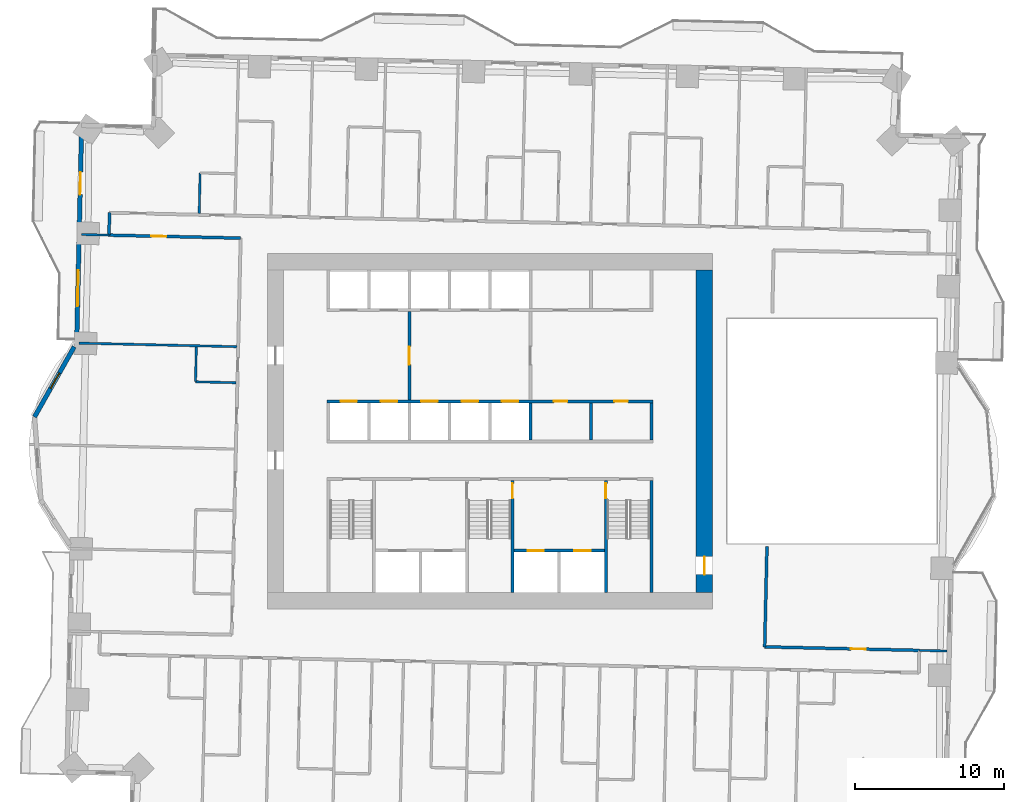
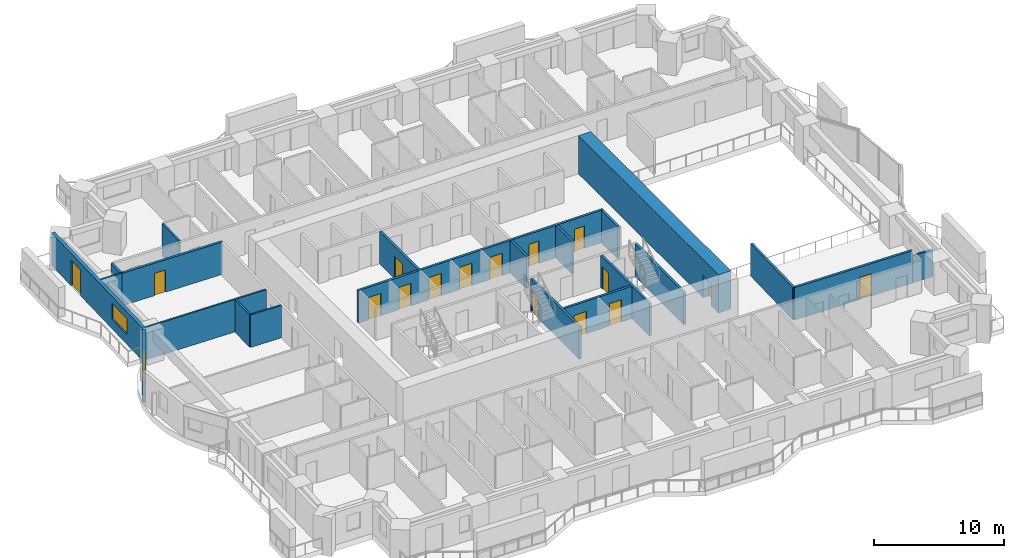
# One storey, part 10 of 19: 22 walls, 16 doors, 2 windows, 18 openings.
"""IFC4 building model written with IfcOpenShell, lengths in metres."""

from ifc_helpers import new_model, si_unit, direction, frame, frame_2d, origin, place, context, subcontext, project, spatial, rectangle, extrude, material, layer, layer_set, type_object, element, fill, save


model = new_model("IFC4")

# Units and contexts
model_context = context("Model", 3, precision=1e-05, world=origin(), true_north=direction((0.0, 1.0)))
body_context = subcontext(model_context, "Body", "Model", "MODEL_VIEW")
ifc_project = project(units=[si_unit("LENGTHUNIT", "METRE"), si_unit("AREAUNIT", "SQUARE_METRE"), si_unit("VOLUMEUNIT", "CUBIC_METRE"), si_unit("PLANEANGLEUNIT", "RADIAN"), si_unit("MASSUNIT", "GRAM", prefix="KILO")], contexts=[model_context])

# Site, building, storey
site_placement = place(None, origin())
site = spatial("IfcSite", under=ifc_project, at=site_placement, CompositionType="ELEMENT")
building_placement = place(site_placement, origin())
building = spatial("IfcBuilding", under=site, at=building_placement, Name="Mangrove Gate Tower", CompositionType="ELEMENT")
storey_placement = place(building_placement, frame((0.0, 0.0, 63.89990234375)))
storey = spatial("IfcBuildingStorey", under=building, at=storey_placement, Name="L15", CompositionType="ELEMENT", Elevation=63.89990234375)

# Wall, opening, door
ifc_material_1 = material(Name="Concrete C32/40", Category="concrete")
ifc_layer_1 = layer(ifc_material_1, 0.199951171875)
ifc_layer_set_1 = layer_set([ifc_layer_1], Name="Core lobby wall 200 C32/40")
wall_type_1 = type_object("IfcWallType", Name="Core lobby wall 200 C32/40", PredefinedType="STANDARD", material=ifc_layer_set_1)
wall_1_placement = place(storey_placement, frame((-5.39990234375, 2.10009765625, 0.0), z_axis=(0.0, 0.0, 1.0), x_axis=(0.0, 1.0, 0.0)))
wall_1 = element("IfcWall", 1, at=wall_1_placement, inside=storey, type_object=wall_type_1, Name="WALL-L15-CORE-35", PredefinedType="STANDARD", context=body_context, shape_type="SweptSolid", body=[
    extrude(rectangle(XDim=5.89990234375, YDim=0.199951171875, at=frame_2d((2.949951171875, 0.0))), origin(), (0.0, 0.0, 1.0), 3.050048828125),
])
opening_1_placement = place(wall_1_placement, frame((2.35009765625, 0.0, 0.0)))
opening_1 = element("IfcOpeningElement", 2, at=opening_1_placement, cuts=wall_1, Name="Opening FL12", PredefinedType="OPENING", context=body_context, shape_type="SweptSolid", body=[
    extrude(rectangle(XDim=1.199951171875, YDim=2.10009765625, at=frame_2d((0.60009765625, 1.050048828125))), frame((0.0, 0.10986328125, 0.0), z_axis=(0.0, -1.0, 0.0), x_axis=(1.0, 0.0, 0.0)), (0.0, 0.0, 1.0), 0.219970703125),
])
ifc_material_2 = material(Name="Fire-rated steel door set", Category="steel")
door_type_1 = type_object("IfcDoorType", Name="Lobby door FD60 1200x2100", OperationType="SINGLE_SWING_LEFT", PredefinedType="DOOR", material=ifc_material_2)
door_1_placement = place(opening_1_placement, origin())
door_1 = element("IfcDoor", 3, at=door_1_placement, inside=storey, type_object=door_type_1, Name="Lobby door lift lobby partition", OperationType="SINGLE_SWING_LEFT", OverallHeight=2.10009765625, OverallWidth=1.199951171875, PredefinedType="DOOR", context=body_context, shape_type="SweptSolid", body=[
    extrude(rectangle(XDim=1.199951171875, YDim=2.10009765625, at=frame_2d((0.60009765625, 1.050048828125))), frame((0.0, 0.02490234375, 0.0), z_axis=(0.0, -1.0, 0.0), x_axis=(1.0, 0.0, 0.0)), (0.0, 0.0, 1.0), 0.050048828125),
])
fill(opening_1, door_1)

# Walls
ifc_material_3 = material(Name="Concrete C32/40", Category="concrete")
ifc_layer_2 = layer(ifc_material_3, 0.199951171875)
ifc_layer_set_2 = layer_set([ifc_layer_2], Name="Core room wall 200 C32/40")
wall_type_2 = type_object("IfcWallType", Name="Core room wall 200 C32/40", PredefinedType="STANDARD", material=ifc_layer_set_2)
for number, where, z_axis, x_axis, name in (
    (4, (6.75, -0.60009765625, 0.0), (0.0, 0.0, 1.0), (0.0, 1.0, 0.0), "WALL-L15-CORE-25"),
    (5, (10.800048828125, -0.60009765625, 0.0), (0.0, 0.0, 1.0), (0.0, 1.0, 0.0), "WALL-L15-CORE-26"),
):
    element("IfcWall", number, at=place(storey_placement, frame(where, z_axis=z_axis, x_axis=x_axis)), inside=storey, type_object=wall_type_2, Name=name, PredefinedType="STANDARD", context=body_context, shape_type="SweptSolid", body=[
        extrude(rectangle(XDim=2.5, YDim=0.199951171875, at=frame_2d((1.25, 0.0))), origin(), (0.0, 0.0, 1.0), 3.050048828125),
    ])

# Wall, openings, doors
ifc_material_4 = material(Name="Concrete C70/85", Category="concrete")
ifc_layer_3 = layer(ifc_material_4, 0.199951171875)
ifc_layer_set_3 = layer_set([ifc_layer_3], Name="Core shaft wall 200 C70/85")
wall_type_3 = type_object("IfcWallType", Name="Core shaft wall 200 C70/85", PredefinedType="SHEAR", material=ifc_layer_set_3)
wall_2_placement = place(storey_placement, frame((-10.89990234375, 2.0, 0.0), z_axis=(0.0, 0.0, 1.0), x_axis=(1.0, 0.0, 0.0)))
wall_2 = element("IfcWall", 6, at=wall_2_placement, inside=storey, type_object=wall_type_3, Name="WALL-L15-CORE-7", PredefinedType="SHEAR", context=body_context, shape_type="SweptSolid", body=[
    extrude(rectangle(XDim=21.7998046875, YDim=0.199951171875, at=frame_2d((10.89990234375, 0.0))), origin(), (0.0, 0.0, 1.0), 3.050048828125),
])
opening_2_placement = place(wall_2_placement, frame((0.89990234375, 0.0, 0.0)))
opening_2 = element("IfcOpeningElement", 7, at=opening_2_placement, cuts=wall_2, Name="Opening LD", PredefinedType="OPENING", context=body_context, shape_type="SweptSolid", body=[
    extrude(rectangle(XDim=1.10009765625, YDim=2.10009765625, at=frame_2d((0.550048828125, 1.050048828125))), frame((0.0, 0.10986328125, 0.0), z_axis=(0.0, -1.0, 0.0), x_axis=(1.0, 0.0, 0.0)), (0.0, 0.0, 1.0), 0.219970703125),
])
opening_3_placement = place(wall_2_placement, frame((3.60009765625, 0.0, 0.0)))
opening_3 = element("IfcOpeningElement", 8, at=opening_3_placement, cuts=wall_2, Name="Opening LD", PredefinedType="OPENING", context=body_context, shape_type="SweptSolid", body=[
    extrude(rectangle(XDim=1.10009765625, YDim=2.10009765625, at=frame_2d((0.550048828125, 1.050048828125))), frame((0.0, 0.10986328125, 0.0), z_axis=(0.0, -1.0, 0.0), x_axis=(1.0, 0.0, 0.0)), (0.0, 0.0, 1.0), 0.219970703125),
])
opening_4_placement = place(wall_2_placement, frame((6.300048828125, 0.0, 0.0)))
opening_4 = element("IfcOpeningElement", 9, at=opening_4_placement, cuts=wall_2, Name="Opening LD", PredefinedType="OPENING", context=body_context, shape_type="SweptSolid", body=[
    extrude(rectangle(XDim=1.10009765625, YDim=2.10009765625, at=frame_2d((0.550048828125, 1.050048828125))), frame((0.0, 0.10986328125, 0.0), z_axis=(0.0, -1.0, 0.0), x_axis=(1.0, 0.0, 0.0)), (0.0, 0.0, 1.0), 0.219970703125),
])
opening_5_placement = place(wall_2_placement, frame((9.0, 0.0, 0.0)))
opening_5 = element("IfcOpeningElement", 10, at=opening_5_placement, cuts=wall_2, Name="Opening LD", PredefinedType="OPENING", context=body_context, shape_type="SweptSolid", body=[
    extrude(rectangle(XDim=1.10009765625, YDim=2.10009765625, at=frame_2d((0.550048828125, 1.050048828125))), frame((0.0, 0.10986328125, 0.0), z_axis=(0.0, -1.0, 0.0), x_axis=(1.0, 0.0, 0.0)), (0.0, 0.0, 1.0), 0.219970703125),
])
opening_6_placement = place(wall_2_placement, frame((11.699951171875, 0.0, 0.0)))
opening_6 = element("IfcOpeningElement", 11, at=opening_6_placement, cuts=wall_2, Name="Opening LD", PredefinedType="OPENING", context=body_context, shape_type="SweptSolid", body=[
    extrude(rectangle(XDim=1.10009765625, YDim=2.10009765625, at=frame_2d((0.550048828125, 1.050048828125))), frame((0.0, 0.10986328125, 0.0), z_axis=(0.0, -1.0, 0.0), x_axis=(1.0, 0.0, 0.0)), (0.0, 0.0, 1.0), 0.219970703125),
])
opening_7_placement = place(wall_2_placement, frame((15.175048828125, 0.0, 0.0)))
opening_7 = element("IfcOpeningElement", 12, at=opening_7_placement, cuts=wall_2, Name="Opening KD", PredefinedType="OPENING", context=body_context, shape_type="SweptSolid", body=[
    extrude(rectangle(XDim=0.89990234375, YDim=2.10009765625, at=frame_2d((0.449951171875, 1.050048828125))), frame((0.0, 0.10986328125, 0.0), z_axis=(0.0, -1.0, 0.0), x_axis=(1.0, 0.0, 0.0)), (0.0, 0.0, 1.0), 0.219970703125),
])
opening_8_placement = place(wall_2_placement, frame((19.22509765625, 0.0, 0.0)))
opening_8 = element("IfcOpeningElement", 13, at=opening_8_placement, cuts=wall_2, Name="Opening KD", PredefinedType="OPENING", context=body_context, shape_type="SweptSolid", body=[
    extrude(rectangle(XDim=0.89990234375, YDim=2.10009765625, at=frame_2d((0.449951171875, 1.050048828125))), frame((0.0, 0.10986328125, 0.0), z_axis=(0.0, -1.0, 0.0), x_axis=(1.0, 0.0, 0.0)), (0.0, 0.0, 1.0), 0.219970703125),
])
ifc_material_5 = material(Name="Fire-rated steel door set", Category="steel")
door_type_2 = type_object("IfcDoorType", Name="Core room door FD30S 900x2100", OperationType="SINGLE_SWING_RIGHT", PredefinedType="DOOR", material=ifc_material_5)
door_2_placement = place(opening_7_placement, origin())
door_2 = element("IfcDoor", 14, at=door_2_placement, inside=storey, type_object=door_type_2, Name="Core room door Cleaner's store", OperationType="SINGLE_SWING_RIGHT", OverallHeight=2.10009765625, OverallWidth=0.89990234375, PredefinedType="DOOR", context=body_context, shape_type="SweptSolid", body=[
    extrude(rectangle(XDim=0.89990234375, YDim=2.10009765625, at=frame_2d((0.449951171875, 1.050048828125))), frame((0.0, 0.02490234375, 0.0), z_axis=(0.0, -1.0, 0.0), x_axis=(1.0, 0.0, 0.0)), (0.0, 0.0, 1.0), 0.050048828125),
])
fill(opening_7, door_2)
door_3_placement = place(opening_8_placement, origin())
door_3 = element("IfcDoor", 15, at=door_3_placement, inside=storey, type_object=door_type_2, Name="Core room door Refuse store", OperationType="SINGLE_SWING_RIGHT", OverallHeight=2.10009765625, OverallWidth=0.89990234375, PredefinedType="DOOR", context=body_context, shape_type="SweptSolid", body=[
    extrude(rectangle(XDim=0.89990234375, YDim=2.10009765625, at=frame_2d((0.449951171875, 1.050048828125))), frame((0.0, 0.02490234375, 0.0), z_axis=(0.0, -1.0, 0.0), x_axis=(1.0, 0.0, 0.0)), (0.0, 0.0, 1.0), 0.050048828125),
])
fill(opening_8, door_3)
ifc_material_6 = material(Name="Stainless steel 316", Category="steel")
door_type_3 = type_object("IfcDoorType", Name="Lift landing door 1100x2100", OperationType="SLIDING_TO_LEFT", PredefinedType="DOOR", material=ifc_material_6)
door_4_placement = place(opening_2_placement, origin())
door_4 = element("IfcDoor", 16, at=door_4_placement, inside=storey, type_object=door_type_3, Name="Landing door LD P01", OperationType="SLIDING_TO_LEFT", OverallHeight=2.10009765625, OverallWidth=1.10009765625, PredefinedType="DOOR", context=body_context, shape_type="SweptSolid", body=[
    extrude(rectangle(XDim=1.10009765625, YDim=2.10009765625, at=frame_2d((0.550048828125, 1.050048828125))), frame((0.0, 0.02490234375, 0.0), z_axis=(0.0, -1.0, 0.0), x_axis=(1.0, 0.0, 0.0)), (0.0, 0.0, 1.0), 0.050048828125),
])
fill(opening_2, door_4)
door_5_placement = place(opening_3_placement, origin())
door_5 = element("IfcDoor", 17, at=door_5_placement, inside=storey, type_object=door_type_3, Name="Landing door LD P02", OperationType="SLIDING_TO_LEFT", OverallHeight=2.10009765625, OverallWidth=1.10009765625, PredefinedType="DOOR", context=body_context, shape_type="SweptSolid", body=[
    extrude(rectangle(XDim=1.10009765625, YDim=2.10009765625, at=frame_2d((0.550048828125, 1.050048828125))), frame((0.0, 0.02490234375, 0.0), z_axis=(0.0, -1.0, 0.0), x_axis=(1.0, 0.0, 0.0)), (0.0, 0.0, 1.0), 0.050048828125),
])
fill(opening_3, door_5)
door_6_placement = place(opening_4_placement, origin())
door_6 = element("IfcDoor", 18, at=door_6_placement, inside=storey, type_object=door_type_3, Name="Landing door LD P03", OperationType="SLIDING_TO_LEFT", OverallHeight=2.10009765625, OverallWidth=1.10009765625, PredefinedType="DOOR", context=body_context, shape_type="SweptSolid", body=[
    extrude(rectangle(XDim=1.10009765625, YDim=2.10009765625, at=frame_2d((0.550048828125, 1.050048828125))), frame((0.0, 0.02490234375, 0.0), z_axis=(0.0, -1.0, 0.0), x_axis=(1.0, 0.0, 0.0)), (0.0, 0.0, 1.0), 0.050048828125),
])
fill(opening_4, door_6)
door_7_placement = place(opening_5_placement, origin())
door_7 = element("IfcDoor", 19, at=door_7_placement, inside=storey, type_object=door_type_3, Name="Landing door LD P04", OperationType="SLIDING_TO_LEFT", OverallHeight=2.10009765625, OverallWidth=1.10009765625, PredefinedType="DOOR", context=body_context, shape_type="SweptSolid", body=[
    extrude(rectangle(XDim=1.10009765625, YDim=2.10009765625, at=frame_2d((0.550048828125, 1.050048828125))), frame((0.0, 0.02490234375, 0.0), z_axis=(0.0, -1.0, 0.0), x_axis=(1.0, 0.0, 0.0)), (0.0, 0.0, 1.0), 0.050048828125),
])
fill(opening_5, door_7)
door_8_placement = place(opening_6_placement, origin())
door_8 = element("IfcDoor", 20, at=door_8_placement, inside=storey, type_object=door_type_3, Name="Landing door LD P05", OperationType="SLIDING_TO_LEFT", OverallHeight=2.10009765625, OverallWidth=1.10009765625, PredefinedType="DOOR", context=body_context, shape_type="SweptSolid", body=[
    extrude(rectangle(XDim=1.10009765625, YDim=2.10009765625, at=frame_2d((0.550048828125, 1.050048828125))), frame((0.0, 0.02490234375, 0.0), z_axis=(0.0, -1.0, 0.0), x_axis=(1.0, 0.0, 0.0)), (0.0, 0.0, 1.0), 0.050048828125),
])
fill(opening_6, door_8)

wall_3_placement = place(storey_placement, frame((1.60009765625, -8.0, 0.0), z_axis=(0.0, 0.0, 1.0), x_axis=(1.0, 0.0, 0.0)))
wall_3 = element("IfcWall", 21, at=wall_3_placement, inside=storey, type_object=wall_type_3, Name="WALL-L15-CORE-17", PredefinedType="SHEAR", context=body_context, shape_type="SweptSolid", body=[
    extrude(rectangle(XDim=6.0498046875, YDim=0.199951171875, at=frame_2d((3.02490234375, 0.0))), origin(), (0.0, 0.0, 1.0), 3.050048828125),
])
opening_9_placement = place(wall_3_placement, frame((0.91259765625, 0.0, 0.0)))
opening_9 = element("IfcOpeningElement", 22, at=opening_9_placement, cuts=wall_3, Name="Opening LD", PredefinedType="OPENING", context=body_context, shape_type="SweptSolid", body=[
    extrude(rectangle(XDim=1.10009765625, YDim=2.10009765625, at=frame_2d((0.550048828125, 1.050048828125))), frame((0.0, 0.10986328125, 0.0), z_axis=(0.0, -1.0, 0.0), x_axis=(1.0, 0.0, 0.0)), (0.0, 0.0, 1.0), 0.219970703125),
])
opening_10_placement = place(wall_3_placement, frame((4.03759765625, 0.0, 0.0)))
opening_10 = element("IfcOpeningElement", 23, at=opening_10_placement, cuts=wall_3, Name="Opening LD", PredefinedType="OPENING", context=body_context, shape_type="SweptSolid", body=[
    extrude(rectangle(XDim=1.10009765625, YDim=2.10009765625, at=frame_2d((0.550048828125, 1.050048828125))), frame((0.0, 0.10986328125, 0.0), z_axis=(0.0, -1.0, 0.0), x_axis=(1.0, 0.0, 0.0)), (0.0, 0.0, 1.0), 0.219970703125),
])
door_9_placement = place(opening_9_placement, origin())
door_9 = element("IfcDoor", 24, at=door_9_placement, inside=storey, type_object=door_type_3, Name="Landing door LD FFL1", OperationType="SLIDING_TO_LEFT", OverallHeight=2.10009765625, OverallWidth=1.10009765625, PredefinedType="DOOR", context=body_context, shape_type="SweptSolid", body=[
    extrude(rectangle(XDim=1.10009765625, YDim=2.10009765625, at=frame_2d((0.550048828125, 1.050048828125))), frame((0.0, 0.02490234375, 0.0), z_axis=(0.0, -1.0, 0.0), x_axis=(1.0, 0.0, 0.0)), (0.0, 0.0, 1.0), 0.050048828125),
])
fill(opening_9, door_9)
door_10_placement = place(opening_10_placement, origin())
door_10 = element("IfcDoor", 25, at=door_10_placement, inside=storey, type_object=door_type_3, Name="Landing door LD FFL2", OperationType="SLIDING_TO_LEFT", OverallHeight=2.10009765625, OverallWidth=1.10009765625, PredefinedType="DOOR", context=body_context, shape_type="SweptSolid", body=[
    extrude(rectangle(XDim=1.10009765625, YDim=2.10009765625, at=frame_2d((0.550048828125, 1.050048828125))), frame((0.0, 0.02490234375, 0.0), z_axis=(0.0, -1.0, 0.0), x_axis=(1.0, 0.0, 0.0)), (0.0, 0.0, 1.0), 0.050048828125),
])
fill(opening_10, door_10)

# Wall
wall_4_placement = place(storey_placement, frame((2.699951171875, -0.60009765625, 0.0), z_axis=(0.0, 0.0, 1.0), x_axis=(0.0, 1.0, 0.0)))
element("IfcWall", 26, at=wall_4_placement, inside=storey, type_object=wall_type_3, Name="WALL-L15-CORE-24", PredefinedType="SHEAR", context=body_context, shape_type="SweptSolid", body=[
    extrude(rectangle(XDim=2.5, YDim=0.199951171875, at=frame_2d((1.25, 0.0))), origin(), (0.0, 0.0, 1.0), 3.050048828125),
])

# Wall, opening, door
ifc_material_7 = material(Name="Concrete C70/85", Category="concrete")
ifc_layer_4 = layer(ifc_material_7, 0.199951171875)
ifc_layer_set_4 = layer_set([ifc_layer_4], Name="Core stair wall 200 C70/85")
wall_type_4 = type_object("IfcWallType", Name="Core stair wall 200 C70/85", PredefinedType="SHEAR", material=ifc_layer_set_4)
wall_5_placement = place(storey_placement, frame((1.5, -10.800048828125, 0.0), z_axis=(0.0, 0.0, 1.0), x_axis=(0.0, 1.0, 0.0)))
wall_5 = element("IfcWall", 27, at=wall_5_placement, inside=storey, type_object=wall_type_4, Name="WALL-L15-CORE-12", PredefinedType="SHEAR", context=body_context, shape_type="SweptSolid", body=[
    extrude(rectangle(XDim=7.5, YDim=0.199951171875, at=frame_2d((3.75, 0.0))), origin(), (0.0, 0.0, 1.0), 3.050048828125),
])
opening_11_placement = place(wall_5_placement, frame((6.300048828125, 0.0, 0.0)))
opening_11 = element("IfcOpeningElement", 28, at=opening_11_placement, cuts=wall_5, Name="Opening STD10", PredefinedType="OPENING", context=body_context, shape_type="SweptSolid", body=[
    extrude(rectangle(XDim=1.0, YDim=2.10009765625, at=frame_2d((0.5, 1.050048828125))), frame((0.0, 0.10986328125, 0.0), z_axis=(0.0, -1.0, 0.0), x_axis=(1.0, 0.0, 0.0)), (0.0, 0.0, 1.0), 0.219970703125),
])
ifc_material_8 = material(Name="Fire-rated steel door set", Category="steel")
door_type_4 = type_object("IfcDoorType", Name="Stair door FD60 1000x2100", OperationType="SINGLE_SWING_RIGHT", PredefinedType="DOOR", material=ifc_material_8)
door_11_placement = place(opening_11_placement, origin())
door_11 = element("IfcDoor", 29, at=door_11_placement, inside=storey, type_object=door_type_4, Name="Stair door Stair 2 from fire-fighting lobby", OperationType="SINGLE_SWING_RIGHT", OverallHeight=2.10009765625, OverallWidth=1.0, PredefinedType="DOOR", context=body_context, shape_type="SweptSolid", body=[
    extrude(rectangle(XDim=1.0, YDim=2.10009765625, at=frame_2d((0.5, 1.050048828125))), frame((0.0, 0.02490234375, 0.0), z_axis=(0.0, -1.0, 0.0), x_axis=(1.0, 0.0, 0.0)), (0.0, 0.0, 1.0), 0.050048828125),
])
fill(opening_11, door_11)

wall_6_placement = place(storey_placement, frame((7.75, -10.800048828125, 0.0), z_axis=(0.0, 0.0, 1.0), x_axis=(0.0, 1.0, 0.0)))
wall_6 = element("IfcWall", 30, at=wall_6_placement, inside=storey, type_object=wall_type_4, Name="WALL-L15-CORE-13", PredefinedType="SHEAR", context=body_context, shape_type="SweptSolid", body=[
    extrude(rectangle(XDim=7.5, YDim=0.199951171875, at=frame_2d((3.75, 0.0))), origin(), (0.0, 0.0, 1.0), 3.050048828125),
])
opening_12_placement = place(wall_6_placement, frame((6.300048828125, 0.0, 0.0)))
opening_12 = element("IfcOpeningElement", 31, at=opening_12_placement, cuts=wall_6, Name="Opening STD10", PredefinedType="OPENING", context=body_context, shape_type="SweptSolid", body=[
    extrude(rectangle(XDim=1.0, YDim=2.10009765625, at=frame_2d((0.5, 1.050048828125))), frame((0.0, 0.10986328125, 0.0), z_axis=(0.0, -1.0, 0.0), x_axis=(1.0, 0.0, 0.0)), (0.0, 0.0, 1.0), 0.219970703125),
])
door_12_placement = place(opening_12_placement, origin())
door_12 = element("IfcDoor", 32, at=door_12_placement, inside=storey, type_object=door_type_4, Name="Stair door Stair 3 from fire-fighting lobby", OperationType="SINGLE_SWING_RIGHT", OverallHeight=2.10009765625, OverallWidth=1.0, PredefinedType="DOOR", context=body_context, shape_type="SweptSolid", body=[
    extrude(rectangle(XDim=1.0, YDim=2.10009765625, at=frame_2d((0.5, 1.050048828125))), frame((0.0, 0.02490234375, 0.0), z_axis=(0.0, -1.0, 0.0), x_axis=(1.0, 0.0, 0.0)), (0.0, 0.0, 1.0), 0.050048828125),
])
fill(opening_12, door_12)

# Wall
wall_7_placement = place(storey_placement, frame((10.800048828125, -10.800048828125, 0.0), z_axis=(0.0, 0.0, 1.0), x_axis=(0.0, 1.0, 0.0)))
element("IfcWall", 33, at=wall_7_placement, inside=storey, type_object=wall_type_4, Name="WALL-L15-CORE-14", PredefinedType="SHEAR", context=body_context, shape_type="SweptSolid", body=[
    extrude(rectangle(XDim=7.5, YDim=0.199951171875, at=frame_2d((3.75, 0.0))), origin(), (0.0, 0.0, 1.0), 3.050048828125),
])

# Wall, opening, door
ifc_material_9 = material(Name="Concrete C70/85", Category="concrete")
ifc_layer_5 = layer(ifc_material_9, 1.10009765625)
ifc_layer_set_5 = layer_set([ifc_layer_5], Name="Core wall 1100 C70/85")
wall_type_5 = type_object("IfcWallType", Name="Core wall 1100 C70/85", PredefinedType="SHEAR", material=ifc_layer_set_5)
wall_8_placement = place(storey_placement, frame((14.35009765625, -10.800048828125, 0.0), z_axis=(0.0, 0.0, 1.0), x_axis=(0.0, 1.0, 0.0)))
wall_8 = element("IfcWall", 34, at=wall_8_placement, inside=storey, type_object=wall_type_5, Name="WALL-L15-CORE-4", PredefinedType="SHEAR", context=body_context, shape_type="SweptSolid", body=[
    extrude(rectangle(XDim=21.60009765625, YDim=1.10009765625, at=frame_2d((10.800048828125, 0.0))), origin(), (0.0, 0.0, 1.0), 3.60009765625),
])
opening_13_placement = place(wall_8_placement, frame((1.199951171875, 0.0, 0.0)))
opening_13 = element("IfcOpeningElement", 35, at=opening_13_placement, cuts=wall_8, Name="Opening CD", PredefinedType="OPENING", context=body_context, shape_type="SweptSolid", body=[
    extrude(rectangle(XDim=1.199951171875, YDim=2.10009765625, at=frame_2d((0.60009765625, 1.050048828125))), frame((0.0, 0.56005859375, 0.0), z_axis=(0.0, -1.0, 0.0), x_axis=(1.0, 0.0, 0.0)), (0.0, 0.0, 1.0), 1.1201171875),
])
ifc_material_10 = material(Name="Fire-rated steel door set", Category="steel")
door_type_5 = type_object("IfcDoorType", Name="Core ring door FD60 1200x2100", OperationType="DOUBLE_DOOR_SINGLE_SWING", PredefinedType="DOOR", material=ifc_material_10)
door_13_placement = place(opening_13_placement, origin())
door_13 = element("IfcDoor", 36, at=door_13_placement, inside=storey, type_object=door_type_5, Name="Core ring door E1", OperationType="DOUBLE_DOOR_SINGLE_SWING", OverallHeight=2.10009765625, OverallWidth=1.199951171875, PredefinedType="DOOR", context=body_context, shape_type="SweptSolid", body=[
    extrude(rectangle(XDim=1.199951171875, YDim=2.10009765625, at=frame_2d((0.60009765625, 1.050048828125))), frame((0.0, 0.02490234375, 0.0), z_axis=(0.0, -1.0, 0.0), x_axis=(1.0, 0.0, 0.0)), (0.0, 0.0, 1.0), 0.050048828125),
])
fill(opening_13, door_13)

ifc_material_11 = material(Name="Gypsum board on steel stud, EI 60", Category="steel")
ifc_layer_6 = layer(ifc_material_11, 0.199951171875)
ifc_layer_set_6 = layer_set([ifc_layer_6], Name="Corridor wall EI 60")
wall_type_6 = type_object("IfcWallType", Name="Corridor wall EI 60", PredefinedType="PARTITIONING", material=ifc_layer_set_6)
wall_9_placement = place(storey_placement, frame((18.382080078125, -14.43408203125, 0.0), z_axis=(0.0, 0.0, 1.0), x_axis=(0.999742529177, -0.022690865001, 0.0)))
wall_9 = element("IfcWall", 37, at=wall_9_placement, inside=storey, type_object=wall_type_6, Name="WALL-L15-039", PredefinedType="PARTITIONING", context=body_context, shape_type="SweptSolid", body=[
    extrude(rectangle(XDim=10.3505859375, YDim=0.199951171875, at=frame_2d((5.17529296875, 0.0))), origin(), (0.0, 0.0, 1.0), 3.050048828125),
])
opening_14_placement = place(wall_9_placement, frame((5.777099609375, 0.0, 0.0)))
opening_14 = element("IfcOpeningElement", 38, at=opening_14_placement, cuts=wall_9, Name="Opening AD", PredefinedType="OPENING", context=body_context, shape_type="SweptSolid", body=[
    extrude(rectangle(XDim=1.0, YDim=2.10009765625, at=frame_2d((0.5, 1.050048828125))), frame((0.0, 0.10986328125, 0.0), z_axis=(0.0, -1.0, 0.0), x_axis=(1.0, 0.0, 0.0)), (0.0, 0.0, 1.0), 0.219970703125),
])
ifc_material_12 = material(Name="Timber door leaf", Category="wood")
door_type_6 = type_object("IfcDoorType", Name="Amenity door 1000", OperationType="SINGLE_SWING_LEFT", PredefinedType="DOOR", material=ifc_material_12)
door_14_placement = place(opening_14_placement, origin())
door_14 = element("IfcDoor", 39, at=door_14_placement, inside=storey, type_object=door_type_6, Name="DOOR-L15-LNG-c3b", OperationType="SINGLE_SWING_LEFT", OverallHeight=2.10009765625, OverallWidth=1.0, PredefinedType="DOOR", context=body_context, shape_type="SweptSolid", body=[
    extrude(rectangle(XDim=1.0, YDim=2.10009765625, at=frame_2d((0.5, 1.050048828125))), frame((0.0, 0.02490234375, 0.0), z_axis=(0.0, -1.0, 0.0), x_axis=(1.0, 0.0, 0.0)), (0.0, 0.0, 1.0), 0.050048828125),
])
fill(opening_14, door_14)

# Walls
wall_10_placement = place(storey_placement, frame((18.384033203125, -14.43408203125, 0.0), z_axis=(0.0, 0.0, 1.0), x_axis=(0.022773383809, 0.999740652864, 0.0)))
element("IfcWall", 40, at=wall_10_placement, inside=storey, type_object=wall_type_6, Name="WALL-L15-040", PredefinedType="PARTITIONING", context=body_context, shape_type="SweptSolid", body=[
    extrude(rectangle(XDim=6.7216796875, YDim=0.199951171875, at=frame_2d((3.36083984375, 0.0))), origin(), (0.0, 0.0, 1.0), 3.050048828125),
])
wall_11_placement = place(storey_placement, frame((-25.491943359375, 13.117919921875, 0.0), z_axis=(0.0, 0.0, 1.0), x_axis=(0.022617910375, 0.999744182344, 0.0)))
element("IfcWall", 41, at=wall_11_placement, inside=storey, type_object=wall_type_6, Name="WALL-L15-052", PredefinedType="PARTITIONING", context=body_context, shape_type="SweptSolid", body=[
    extrude(rectangle(XDim=1.50048828125, YDim=0.199951171875, at=frame_2d((0.750244140625, 0.0))), origin(), (0.0, 0.0, 1.0), 3.050048828125),
])

# Wall, opening, door
wall_12_placement = place(storey_placement, frame((-25.489990234375, 13.117919921875, 0.0), z_axis=(0.0, 0.0, 1.0), x_axis=(0.999742607231, -0.02268742575, 0.0)))
wall_12 = element("IfcWall", 42, at=wall_12_placement, inside=storey, type_object=wall_type_6, Name="WALL-L15-053", PredefinedType="PARTITIONING", context=body_context, shape_type="SweptSolid", body=[
    extrude(rectangle(XDim=8.813232421875, YDim=0.199951171875, at=frame_2d((4.40673828125, 0.0))), origin(), (0.0, 0.0, 1.0), 3.050048828125),
])
opening_15_placement = place(wall_12_placement, frame((2.83203125, 0.0, 0.0)))
opening_15 = element("IfcOpeningElement", 43, at=opening_15_placement, cuts=wall_12, Name="Opening AD", PredefinedType="OPENING", context=body_context, shape_type="SweptSolid", body=[
    extrude(rectangle(XDim=1.0, YDim=2.10009765625, at=frame_2d((0.5, 1.050048828125))), frame((0.0, 0.10986328125, 0.0), z_axis=(0.0, -1.0, 0.0), x_axis=(1.0, 0.0, 0.0)), (0.0, 0.0, 1.0), 0.219970703125),
])
door_15_placement = place(opening_15_placement, origin())
door_15 = element("IfcDoor", 44, at=door_15_placement, inside=storey, type_object=door_type_6, Name="DOOR-L15-LNG-c5a", OperationType="SINGLE_SWING_LEFT", OverallHeight=2.10009765625, OverallWidth=1.0, PredefinedType="DOOR", context=body_context, shape_type="SweptSolid", body=[
    extrude(rectangle(XDim=1.0, YDim=2.10009765625, at=frame_2d((0.5, 1.050048828125))), frame((0.0, 0.02490234375, 0.0), z_axis=(0.0, -1.0, 0.0), x_axis=(1.0, 0.0, 0.0)), (0.0, 0.0, 1.0), 0.050048828125),
])
fill(opening_15, door_15)

# Wall, openings, door, window
ifc_material_13 = material(Name="Limestone", Category="masonry")
ifc_layer_7 = layer(ifc_material_13, 0.0400390625, Name="Limestone cladding")
ifc_material_14 = material(Name="Ventilated air gap")
ifc_layer_8 = layer(ifc_material_14, 0.0400390625, Name="Ventilated cavity")
ifc_material_15 = material(Name="Mineral wool insulation")
ifc_layer_9 = layer(ifc_material_15, 0.06005859375, Name="Insulation")
ifc_material_16 = material(Name="Breather membrane")
ifc_layer_10 = layer(ifc_material_16, 0.001953125, Name="Breather membrane")
ifc_material_17 = material(Name="Concrete C20/25 blockwork", Category="masonry")
ifc_layer_11 = layer(ifc_material_17, 0.14990234375, Name="Blockwork backing wall")
ifc_material_18 = material(Name="Gypsum plaster")
ifc_layer_12 = layer(ifc_material_18, 0.008056640625, Name="Internal plaster")
ifc_layer_set_7 = layer_set([ifc_layer_7, ifc_layer_8, ifc_layer_9, ifc_layer_10, ifc_layer_11, ifc_layer_12], Name="External wall 300 limestone cladding")
wall_type_7 = type_object("IfcWallType", Name="External wall 300 limestone cladding", PredefinedType="SOLIDWALL", material=ifc_layer_set_7)
wall_13_placement = place(storey_placement, frame((-27.323974609375, 20.4619140625, 0.0), z_axis=(0.0, 0.0, 1.0), x_axis=(-0.022695628174, -0.999742421057, 0.0)))
wall_13 = element("IfcWall", 45, at=wall_13_placement, inside=storey, type_object=wall_type_7, Name="WALL-L15-W8", PredefinedType="SOLIDWALL", context=body_context, shape_type="SweptSolid", body=[
    extrude(rectangle(XDim=14.629638671875, YDim=0.300048828125, at=frame_2d((7.31494140625, 0.0))), origin(), (0.0, 0.0, 1.0), 3.050048828125),
])
opening_16_placement = place(wall_13_placement, frame((3.1298828125, 0.0, 0.0)))
opening_16 = element("IfcOpeningElement", 46, at=opening_16_placement, cuts=wall_13, Name="Opening BD1", PredefinedType="OPENING", context=body_context, shape_type="SweptSolid", body=[
    extrude(rectangle(XDim=1.5, YDim=2.39990234375, at=frame_2d((0.75, 1.199951171875))), frame((0.0, 0.159912109375, 0.0), z_axis=(0.0, -1.0, 0.0), x_axis=(1.0, 0.0, 0.0)), (0.0, 0.0, 1.0), 0.320068359375),
])
opening_17_placement = place(wall_13_placement, frame((9.694091796875, 0.0, 0.89990234375)))
opening_17 = element("IfcOpeningElement", 47, at=opening_17_placement, cuts=wall_13, Name="Opening W2", PredefinedType="OPENING", context=body_context, shape_type="SweptSolid", body=[
    extrude(rectangle(XDim=2.39990234375, YDim=1.5, at=frame_2d((1.199951171875, 0.75))), frame((0.0, 0.159912109375, 0.0), z_axis=(0.0, -1.0, 0.0), x_axis=(1.0, 0.0, 0.0)), (0.0, 0.0, 1.0), 0.320068359375),
])
ifc_material_19 = material(Name="Aluminium frame with laminated clear glass", Category="aluminium")
door_type_7 = type_object("IfcDoorType", Name="Balcony sliding door 1500x2400", OperationType="SLIDING_TO_LEFT", PredefinedType="DOOR", material=ifc_material_19)
door_16_placement = place(opening_16_placement, origin())
door_16 = element("IfcDoor", 48, at=door_16_placement, inside=storey, type_object=door_type_7, Name="DOOR-L15-W8-1", OperationType="SLIDING_TO_LEFT", OverallHeight=2.39990234375, OverallWidth=1.5, PredefinedType="DOOR", context=body_context, shape_type="SweptSolid", body=[
    extrude(rectangle(XDim=1.5, YDim=2.39990234375, at=frame_2d((0.75, 1.199951171875))), frame((0.0, 0.02490234375, 0.0), z_axis=(0.0, -1.0, 0.0), x_axis=(1.0, 0.0, 0.0)), (0.0, 0.0, 1.0), 0.050048828125),
])
fill(opening_16, door_16)
ifc_material_20 = material(Name="Aluminium frame with double-glazed low-e glass", Category="aluminium")
window_type_1 = type_object("IfcWindowType", Name="Corner room window 2400x1500", PartitioningType="DOUBLE_PANEL_VERTICAL", PredefinedType="WINDOW", material=ifc_material_20)
window_1_placement = place(opening_17_placement, origin())
window_1 = element("IfcWindow", 49, at=window_1_placement, inside=storey, type_object=window_type_1, Name="WIN-L15-W8-2", OverallHeight=1.5, OverallWidth=2.39990234375, PartitioningType="DOUBLE_PANEL_VERTICAL", PredefinedType="WINDOW", context=body_context, shape_type="SweptSolid", body=[
    extrude(rectangle(XDim=2.39990234375, YDim=1.5, at=frame_2d((1.199951171875, 0.75))), frame((0.0, 0.030029296875, 0.0), z_axis=(0.0, -1.0, 0.0), x_axis=(1.0, 0.0, 0.0)), (0.0, 0.0, 1.0), 0.06005859375),
])
fill(opening_17, window_1)

# Wall, opening, window
wall_14_placement = place(storey_placement, frame((-27.820068359375, 5.64990234375, 0.0), z_axis=(0.0, 0.0, 1.0), x_axis=(-0.492554919955, -0.870281363025, 0.0)))
wall_14 = element("IfcWall", 50, at=wall_14_placement, inside=storey, type_object=wall_type_7, Name="WALL-L15-W9f1", PredefinedType="SOLIDWALL", context=body_context, shape_type="SweptSolid", body=[
    extrude(rectangle(XDim=5.398193359375, YDim=0.300048828125, at=frame_2d((2.69921875, 0.0))), origin(), (0.0, 0.0, 1.0), 3.050048828125),
])
opening_18_placement = place(wall_14_placement, frame((2.008056640625, 0.0, 0.89990234375)))
opening_18 = element("IfcOpeningElement", 51, at=opening_18_placement, cuts=wall_14, Name="Opening W1", PredefinedType="OPENING", context=body_context, shape_type="SweptSolid", body=[
    extrude(rectangle(XDim=1.199951171875, YDim=1.5, at=frame_2d((0.60009765625, 0.75))), frame((0.0, 0.159912109375, 0.0), z_axis=(0.0, -1.0, 0.0), x_axis=(1.0, 0.0, 0.0)), (0.0, 0.0, 1.0), 0.320068359375),
])
ifc_material_21 = material(Name="Aluminium frame with double-glazed low-e glass", Category="aluminium")
window_type_2 = type_object("IfcWindowType", Name="Side lite 1200x1500", PartitioningType="SINGLE_PANEL", PredefinedType="WINDOW", material=ifc_material_21)
window_2_placement = place(opening_18_placement, origin())
window_2 = element("IfcWindow", 52, at=window_2_placement, inside=storey, type_object=window_type_2, Name="WIN-L15-W9f1", OverallHeight=1.5, OverallWidth=1.199951171875, PartitioningType="SINGLE_PANEL", PredefinedType="WINDOW", context=body_context, shape_type="SweptSolid", body=[
    extrude(rectangle(XDim=1.199951171875, YDim=1.5, at=frame_2d((0.60009765625, 0.75))), frame((0.0, 0.030029296875, 0.0), z_axis=(0.0, -1.0, 0.0), x_axis=(1.0, 0.0, 0.0)), (0.0, 0.0, 1.0), 0.06005859375),
])
fill(opening_18, window_2)

# Walls
ifc_material_22 = material(Name="Gypsum board on steel stud, EI 60", Category="steel")
ifc_layer_13 = layer(ifc_material_22, 0.14990234375)
ifc_layer_set_8 = layer_set([ifc_layer_13], Name="Party wall 150 EI 60")
wall_type_8 = type_object("IfcWallType", Name="Party wall 150 EI 60", PredefinedType="PARTITIONING", material=ifc_layer_set_8)
wall_15_placement = place(storey_placement, frame((28.72998046875, -14.6689453125, 0.0), z_axis=(0.0, 0.0, 1.0), x_axis=(0.999742244252, -0.022703415106, 0.0)))
element("IfcWall", 53, at=wall_15_placement, inside=storey, type_object=wall_type_8, Name="WALL-L15-041", PredefinedType="PARTITIONING", context=body_context, shape_type="SweptSolid", body=[
    extrude(rectangle(XDim=1.849609375, YDim=0.14990234375, at=frame_2d((0.9248046875, 0.0))), origin(), (0.0, 0.0, 1.0), 2.550048828125),
])
wall_16_placement = place(storey_placement, frame((-19.697998046875, 3.303955078125, 0.0), z_axis=(0.0, 0.0, 1.0), x_axis=(0.999744396973, -0.02260842146, 0.0)))
element("IfcWall", 54, at=wall_16_placement, inside=storey, type_object=wall_type_8, Name="WALL-L15-047", PredefinedType="PARTITIONING", context=body_context, shape_type="SweptSolid", body=[
    extrude(rectangle(XDim=2.69970703125, YDim=0.14990234375, at=frame_2d((1.349853515625, 0.0))), origin(), (0.0, 0.0, 1.0), 3.050048828125),
])
wall_17_placement = place(storey_placement, frame((-19.702880859375, 3.31005859375, 0.0), z_axis=(0.0, 0.0, 1.0), x_axis=(0.02279059109, 0.999740260747, 0.0)))
element("IfcWall", 55, at=wall_17_placement, inside=storey, type_object=wall_type_8, Name="WALL-L15-048", PredefinedType="PARTITIONING", context=body_context, shape_type="SweptSolid", body=[
    extrude(rectangle(XDim=2.324462890625, YDim=0.14990234375, at=frame_2d((1.162109375, 0.0))), origin(), (0.0, 0.0, 1.0), 3.050048828125),
])
wall_18_placement = place(storey_placement, frame((-27.5048828125, 5.89208984375, 0.0), z_axis=(0.0, 0.0, 1.0), x_axis=(0.999743990669, -0.022626381091, 0.0)))
element("IfcWall", 56, at=wall_18_placement, inside=storey, type_object=wall_type_8, Name="WALL-L15-049", PredefinedType="PARTITIONING", context=body_context, shape_type="SweptSolid", body=[
    extrude(rectangle(XDim=10.5634765625, YDim=0.14990234375, at=frame_2d((5.28173828125, 0.0))), origin(), (0.0, 0.0, 1.0), 3.050048828125),
])
wall_19_placement = place(storey_placement, frame((-27.340087890625, 13.159912109375, 0.0), z_axis=(0.0, 0.0, 1.0), x_axis=(0.999743599624, -0.02264365277, 0.0)))
element("IfcWall", 57, at=wall_19_placement, inside=storey, type_object=wall_type_8, Name="WALL-L15-051", PredefinedType="PARTITIONING", context=body_context, shape_type="SweptSolid", body=[
    extrude(rectangle(XDim=1.8544921875, YDim=0.14990234375, at=frame_2d((0.92724609375, 0.0))), origin(), (0.0, 0.0, 1.0), 3.050048828125),
])
wall_20_placement = place(storey_placement, frame((-19.45703125, 14.58203125, 0.0), z_axis=(0.0, 0.0, 1.0), x_axis=(0.02260842146, 0.999744396973, 0.0)))
element("IfcWall", 58, at=wall_20_placement, inside=storey, type_object=wall_type_8, Name="WALL-L15-058", PredefinedType="PARTITIONING", context=body_context, shape_type="SweptSolid", body=[
    extrude(rectangle(XDim=2.69970703125, YDim=0.14990234375, at=frame_2d((1.349853515625, 0.0))), origin(), (0.0, 0.0, 1.0), 3.050048828125),
])

save(model, "model.ifc")
